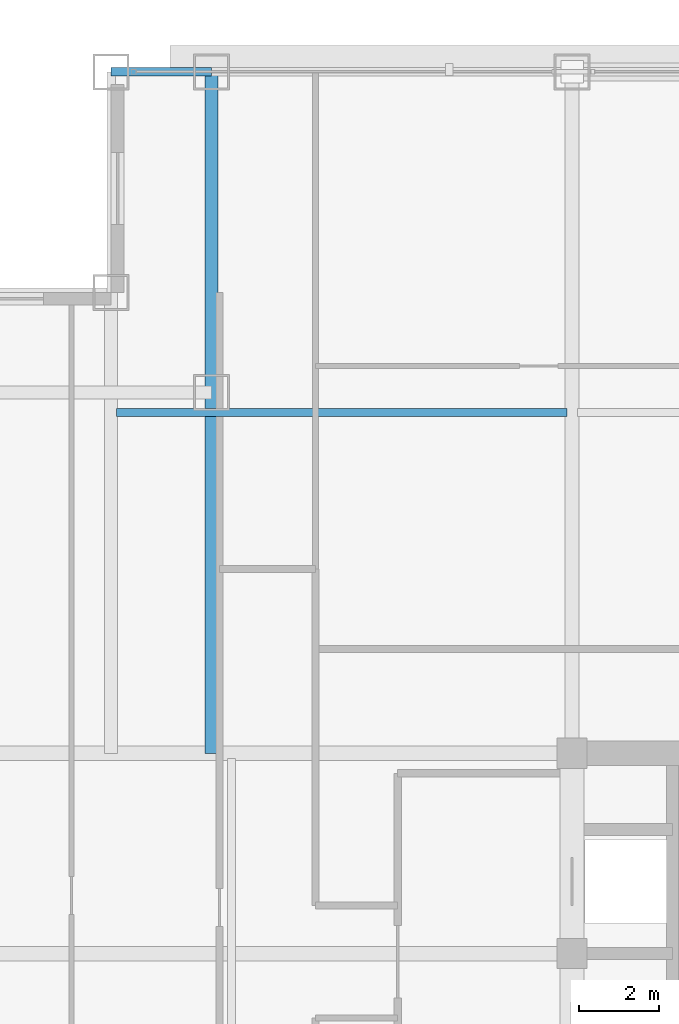
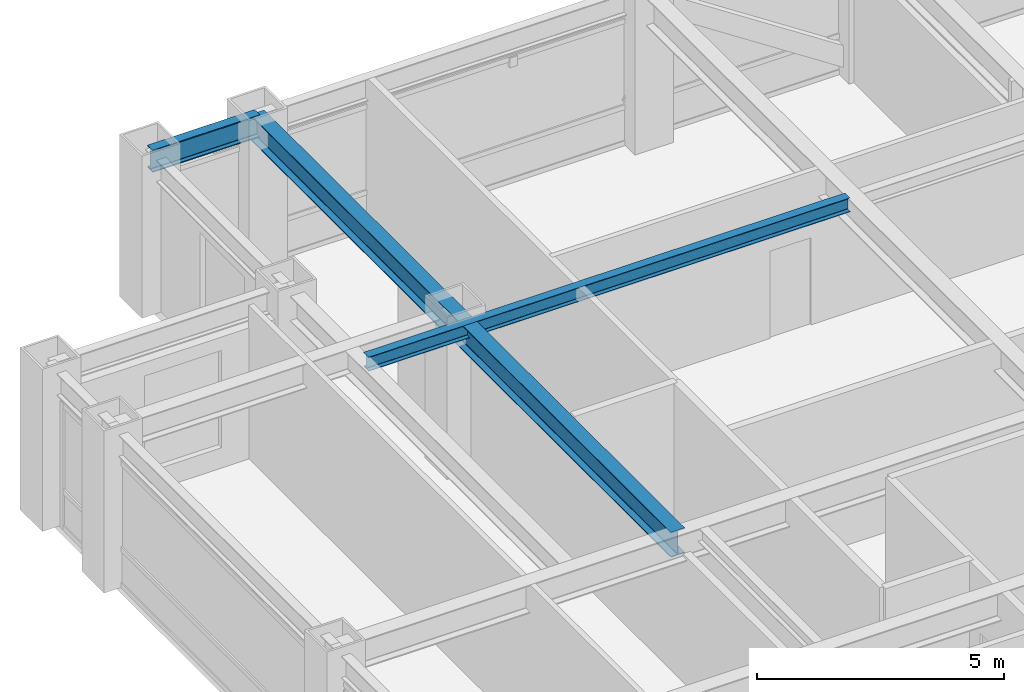
# One storey, part 13 of 29: 3 beams.
"""IFC4 building model written with IfcOpenShell, lengths in metres."""

from ifc_helpers import new_model, si_unit, direction, frame, origin, origin_2d, place, context, subcontext, project, spatial, i_section, extrude, source, transform, mapped, material, material_profile, profile_set, type_object, element, save


model = new_model("IFC4")

# Units and contexts
model_context = context("Model", 3, precision=1e-05, world=origin(), true_north=direction((0.0, 1.0)))
body_context = subcontext(model_context, "Body", "Model", "MODEL_VIEW")
ifc_project = project(units=[si_unit("LENGTHUNIT", "METRE"), si_unit("AREAUNIT", "SQUARE_METRE"), si_unit("VOLUMEUNIT", "CUBIC_METRE"), si_unit("PLANEANGLEUNIT", "RADIAN"), si_unit("MASSUNIT", "GRAM", prefix="KILO")], contexts=[model_context])

# Site, building, storey
site_placement = place(None, origin())
site = spatial("IfcSite", under=ifc_project, at=site_placement, CompositionType="ELEMENT")
building_placement = place(site_placement, origin())
building = spatial("IfcBuilding", under=site, at=building_placement, Name="Khorayat Bourse Tower", CompositionType="ELEMENT")
storey_placement = place(building_placement, frame((0.0, 0.0, 277.5)))
storey = spatial("IfcBuildingStorey", under=building, at=storey_placement, Name="L65", CompositionType="ELEMENT", Elevation=277.5)

# Beams
ifc_material = material(Name="Steel ASTM A992 Grade 50", Category="steel")
ifc_material_profile_1 = material_profile(ifc_material, i_section(OverallWidth=0.324951171875, OverallDepth=0.615966796875, WebThickness=0.013916015625, FlangeThickness=0.021484375, FilletRadius=0.01611328125, at=origin_2d()), Name="W610X174")
ifc_profile_set_1 = profile_set([ifc_material_profile_1], Name="Steel ASTM A992 Grade 50")
beam_type_1 = type_object("IfcBeamType", Name="BM-GIRD-610", PredefinedType="BEAM", material=ifc_profile_set_1)
shared_shape_1 = source(origin(), body_context, "Body", "SweptSolid", [
    extrude(i_section(OverallWidth=0.324951171875, OverallDepth=0.615966796875, WebThickness=0.013916015625, FlangeThickness=0.021484375, FilletRadius=0.01611328125, at=origin_2d()), origin(), (0.0, 0.0, 1.0), 17.0),
])
beam_1_placement = place(storey_placement, frame((-20.0, 11.0, 3.471923828125), z_axis=(0.0, 1.0, 0.0), x_axis=(-1.0, 0.0, 0.0)))
element("IfcBeam", 1, at=beam_1_placement, inside=storey, type_object=beam_type_1, Name="L65 BM-GIRD-610 BM-L65-CNRY-085", PredefinedType="BEAM", context=body_context, shape_type="MappedRepresentation", body=[
    mapped(shared_shape_1, transform((0.0, 0.0, 0.0), scale=1.0)),
])
ifc_material_profile_2 = material_profile(ifc_material, i_section(OverallWidth=0.202880859375, OverallDepth=0.346923828125, WebThickness=0.0078125, FlangeThickness=0.013427734375, FilletRadius=0.010009765625, at=origin_2d()), Name="W360X64")
ifc_profile_set_2 = profile_set([ifc_material_profile_2], Name="Steel ASTM A992 Grade 50")
beam_type_2 = type_object("IfcBeamType", Name="BM-JOIST-360", PredefinedType="JOIST", material=ifc_profile_set_2)
shared_shape_2 = source(origin(), body_context, "Body", "SweptSolid", [
    extrude(i_section(OverallWidth=0.202880859375, OverallDepth=0.346923828125, WebThickness=0.0078125, FlangeThickness=0.013427734375, FilletRadius=0.010009765625, at=origin_2d()), origin(), (0.0, 0.0, 1.0), 11.240234375),
])
beam_2_placement = place(storey_placement, frame((-22.3701171875, 19.5, 3.6064453125), z_axis=(1.0, 0.0, 0.0), x_axis=(0.0, 1.0, 0.0)))
element("IfcBeam", 2, at=beam_2_placement, inside=storey, type_object=beam_type_2, Name="L65 BM-JOIST-360 BM-L65-JSTX-099", PredefinedType="JOIST", context=body_context, shape_type="MappedRepresentation", body=[
    mapped(shared_shape_2, transform((0.0, 0.0, 0.0), scale=1.0)),
])
ifc_material_profile_3 = material_profile(ifc_material, i_section(OverallWidth=0.214111328125, OverallDepth=0.549072265625, WebThickness=0.0146484375, FlangeThickness=0.023681640625, FilletRadius=0.013916015625, at=origin_2d()), Name="W530X138")
ifc_profile_set_3 = profile_set([ifc_material_profile_3], Name="Steel ASTM A992 Grade 50")
beam_type_3 = type_object("IfcBeamType", Name="BM-SPAN-530", PredefinedType="SPANDREL", material=ifc_profile_set_3)
shared_shape_3 = source(origin(), body_context, "Body", "SweptSolid", [
    extrude(i_section(OverallWidth=0.214111328125, OverallDepth=0.549072265625, WebThickness=0.0146484375, FlangeThickness=0.023681640625, FilletRadius=0.013916015625, at=origin_2d()), origin(), (0.0, 0.0, 1.0), 2.5),
])
beam_3_placement = place(storey_placement, frame((-22.5, 28.0, 3.505615234375), z_axis=(1.0, 0.0, 0.0), x_axis=(0.0, 1.0, 0.0)))
element("IfcBeam", 3, at=beam_3_placement, inside=storey, type_object=beam_type_3, Name="L65 BM-SPAN-530 BM-L65-SPN-051", PredefinedType="SPANDREL", context=body_context, shape_type="MappedRepresentation", body=[
    mapped(shared_shape_3, transform((0.0, 0.0, 0.0), scale=1.0)),
])

save(model, "model.ifc")
